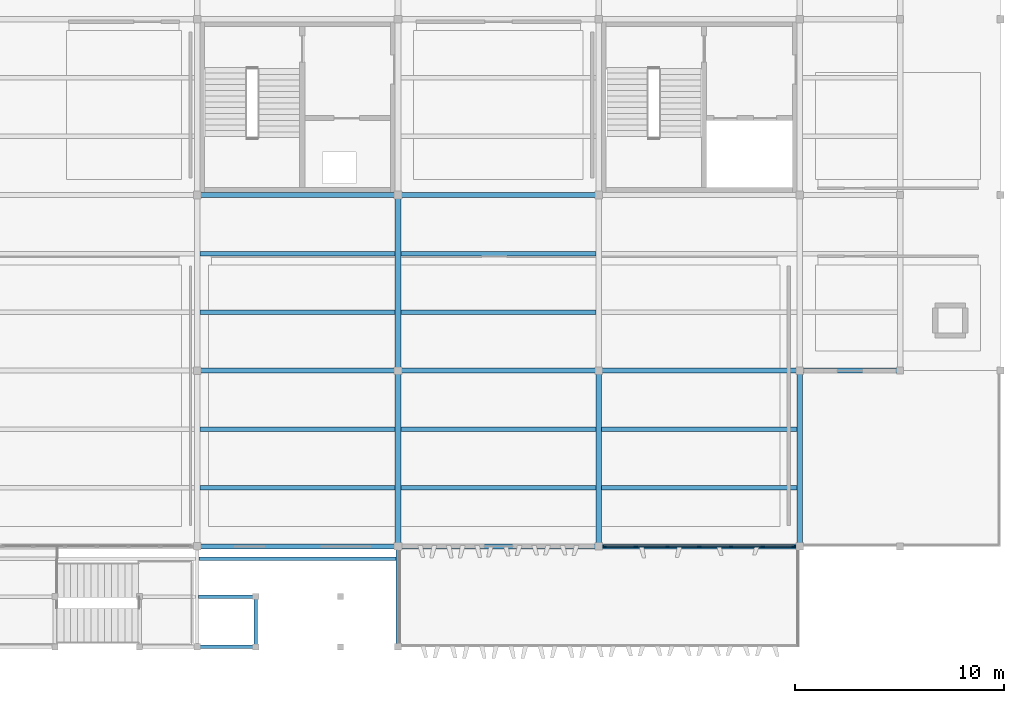
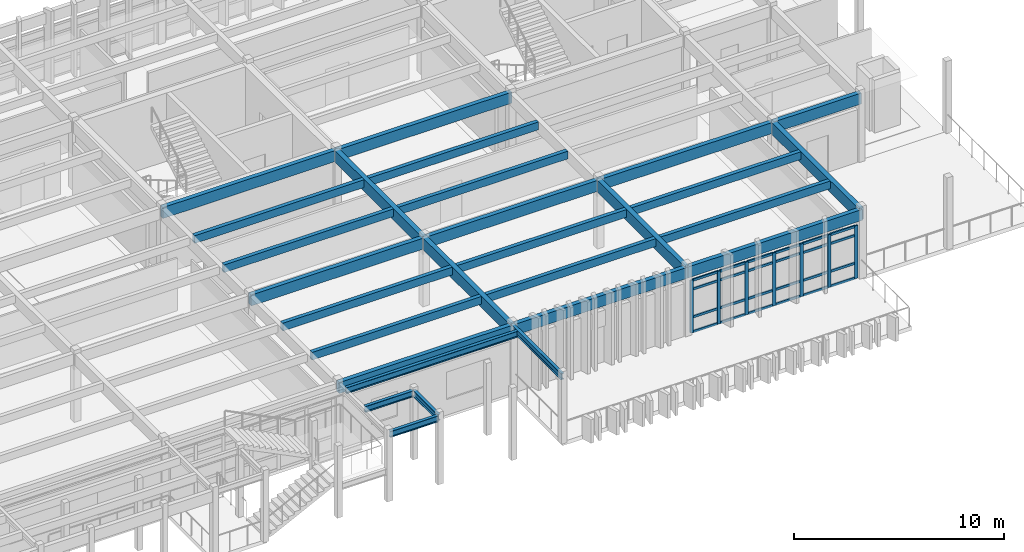
# One storey, part 7 of 18: 31 members, 28 beams, 1 element without a shape of its own.
"""IFC4 building model written with IfcOpenShell, lengths in metres."""

import ifcopenshell
import ifcopenshell.guid

model = None  # the IFC model being written
_history = None  # IfcOwnerHistory: only IFC2X3 demands one
_inside = {}  # id of a spatial element -> (the spatial element, [elements in it])
_under = {}  # id of a project, library or spatial element -> (it, [spatial elements below it])
_declared = {}  # id of a project -> (the project, [libraries it declares])
_typed = {}  # id of a type object -> (the type object, [elements of that type])
_made_of = {}  # id of a material, layer set ... -> (it, [elements and type objects made of it])


def new_model(schema):
    """Start an empty IFC model of exactly this schema.

    Asked for "IFC4X3", IfcOpenShell would pick the latest addendum, in which some entities
    have other attributes; the version numbers below select the first issue.
    IFC2X3 requires an IfcOwnerHistory on every rooted entity: one is made here for all.
    """
    global model, _history
    if schema == "IFC4X3":
        model = ifcopenshell.file(schema_version=(4, 3, 0, 0))
    else:
        model = ifcopenshell.file(schema=schema)
    _inside.clear()
    _under.clear()
    _declared.clear()
    _typed.clear()
    _made_of.clear()
    _history = None
    if model.schema == "IFC2X3":
        org = make("IfcOrganization", Name="unknown")
        user = make(
            "IfcPersonAndOrganization",
            ThePerson=make("IfcPerson", FamilyName="unknown"),
            TheOrganization=org,
        )
        app = make(
            "IfcApplication",
            ApplicationDeveloper=org,
            Version="unknown",
            ApplicationFullName="unknown",
            ApplicationIdentifier="unknown",
        )
        _history = make(
            "IfcOwnerHistory",
            OwningUser=user,
            OwningApplication=app,
            ChangeAction="ADDED",
            CreationDate=0,
        )
    return model


def make(cls, **values):
    """One entity of the class cls with the attributes given. An attribute that is None is left unset."""
    return model.create_entity(
        cls, **{name: value for name, value in values.items() if value is not None}
    )


def rooted(cls, **values):
    """An entity with a GlobalId (a new one), such as an element, a storey or a relation."""
    return make(cls, GlobalId=ifcopenshell.guid.new(), OwnerHistory=_history, **values)


def si_unit(unit_type, name, prefix=None):
    """IfcSIUnit, for example si_unit("LENGTHUNIT", "METRE", prefix="MILLI")."""
    return make("IfcSIUnit", UnitType=unit_type, Prefix=prefix, Name=name)


def assignment(units):
    """IfcUnitAssignment: the units of a project."""
    return None if units is None else make("IfcUnitAssignment", Units=units)


def point(xyz):
    """IfcCartesianPoint."""
    return None if xyz is None else make("IfcCartesianPoint", Coordinates=xyz)


def direction(xyz):
    """IfcDirection."""
    return None if xyz is None else make("IfcDirection", DirectionRatios=xyz)


def frame(location, z_axis=None, x_axis=None):
    """IfcAxis2Placement3D, a coordinate frame: its origin and axes. An axis left out is left unset."""
    return make(
        "IfcAxis2Placement3D",
        Location=point(location),
        Axis=direction(z_axis),
        RefDirection=direction(x_axis),
    )


def frame_2d(location, x_axis=None):
    """IfcAxis2Placement2D, a coordinate frame in the plane: its origin and x axis."""
    return make(
        "IfcAxis2Placement2D", Location=point(location), RefDirection=direction(x_axis)
    )


def origin():
    """The frame at (0, 0, 0) with its axes left unset."""
    return frame((0.0, 0.0, 0.0))


def origin_2d():
    """The frame at (0, 0) in the plane with its x axis left unset."""
    return frame_2d((0.0, 0.0))


def place(relative_to, where):
    """IfcLocalPlacement: puts the frame where relative to a parent placement (None: the world)."""
    return make(
        "IfcLocalPlacement", PlacementRelTo=relative_to, RelativePlacement=where
    )


def context(
    kind, dimensions, precision=None, world=None, true_north=None, identifier=None
):
    """IfcGeometricRepresentationContext, for example the 3D "Model" context."""
    return make(
        "IfcGeometricRepresentationContext",
        ContextIdentifier=identifier,
        ContextType=kind,
        CoordinateSpaceDimension=dimensions,
        Precision=precision,
        WorldCoordinateSystem=world,
        TrueNorth=true_north,
    )


def subcontext(parent, identifier, kind, view, scale=None):
    """IfcGeometricRepresentationSubContext, for example "Body" below "Model"."""
    return make(
        "IfcGeometricRepresentationSubContext",
        ContextIdentifier=identifier,
        ContextType=kind,
        ParentContext=parent,
        TargetScale=scale,
        TargetView=view,
    )


def project(units=None, contexts=None):
    """IfcProject with its units and contexts."""
    return rooted(
        "IfcProject",
        Name="project",
        RepresentationContexts=contexts,
        UnitsInContext=assignment(units),
    )


def spatial(cls, under=None, at=None, **own):
    """A site, building, storey or space (cls), placed at a placement, below another one or the project."""
    s = rooted(cls, ObjectPlacement=at, **own)
    if under is not None:
        _under.setdefault(under.id(), (under, []))[1].append(s)
    return s


def profile(cls, at=None, kind="AREA", **sizes):
    """A parametric profile (cls). Its sizes go by their IFC names, for example OverallWidth=200.0."""
    return make(cls, ProfileType=kind, Position=at, **sizes)


def rectangle(**sizes):
    """IfcRectangleProfileDef."""
    return profile("IfcRectangleProfileDef", **sizes)


def i_section(**sizes):
    """IfcIShapeProfileDef."""
    return profile("IfcIShapeProfileDef", **sizes)


def extrude(swept, where, along, depth):
    """IfcExtrudedAreaSolid: the profile swept, set in the frame where, extruded along a direction by depth."""
    return make(
        "IfcExtrudedAreaSolid",
        SweptArea=swept,
        Position=where,
        ExtrudedDirection=direction(along),
        Depth=depth,
    )


def shape(context_of_items, identifier, shape_type, items):
    """IfcShapeRepresentation: the items that make up one representation, for example the "Body"."""
    return make(
        "IfcShapeRepresentation",
        ContextOfItems=context_of_items,
        RepresentationIdentifier=identifier,
        RepresentationType=shape_type,
        Items=items,
    )


def material(Name=None, Category=None):
    """IfcMaterial."""
    return make("IfcMaterial", Name=Name, Category=Category)


def layer(
    of_material, thickness, ventilated=None, Name=None, Category=None, Priority=None
):
    """IfcMaterialLayer: one layer of a wall or slab, of a material (None: an air gap)."""
    return make(
        "IfcMaterialLayer",
        Material=of_material,
        LayerThickness=thickness,
        IsVentilated=ventilated,
        Name=Name,
        Category=Category,
        Priority=Priority,
    )


def layer_set(layers, Name=None):
    """IfcMaterialLayerSet."""
    return make("IfcMaterialLayerSet", MaterialLayers=layers, LayerSetName=Name)


def material_profile(
    of_material, cross_section, Name=None, Category=None, Priority=None
):
    """IfcMaterialProfile: a cross section and its material."""
    return make(
        "IfcMaterialProfile",
        Name=Name,
        Material=of_material,
        Profile=cross_section,
        Priority=Priority,
        Category=Category,
    )


def profile_set(profiles, Name=None, composite=None):
    """IfcMaterialProfileSet."""
    return make(
        "IfcMaterialProfileSet",
        Name=Name,
        MaterialProfiles=profiles,
        CompositeProfile=composite,
    )


def made_of(thing, what):
    """Note that an element or type object is made of a material, layer set ...; save() writes the relation."""
    if what is not None:
        _made_of.setdefault(what.id(), (what, []))[1].append(thing)
    return thing


def type_object(cls, material=None, **own):
    """A type object (cls), such as IfcWallType, which elements share."""
    return made_of(rooted(cls, **own), material)


def element(
    cls,
    number,
    at=None,
    inside=None,
    cuts=None,
    type_object=None,
    material=None,
    context=None,
    identifier="Body",
    shape_type=None,
    held_by="IfcProductDefinitionShape",
    body=None,
    shapes=None,
    **own,
):
    """One element of the class cls, such as IfcWall. Its Tag is "e" and its number.

    at: its placement. inside: the storey or other place that contains it. cuts: it is an
    opening in that element (IfcRelVoidsElement). A single representation is given by context,
    identifier, shape_type and body (its items); several are given by shapes. held_by: the class
    of the entity that holds the representations. save() writes the other relations.
    """
    e = rooted(cls, Tag="e%d" % number, ObjectPlacement=at, **own)
    if body is not None:
        shapes = [shape(context, identifier, shape_type, body)]
    if shapes is not None:
        e.Representation = make(held_by, Representations=shapes)
    if inside is not None:
        _inside.setdefault(inside.id(), (inside, []))[1].append(e)
    if cuts is not None:
        rooted(
            "IfcRelVoidsElement", RelatingBuildingElement=cuts, RelatedOpeningElement=e
        )
    if type_object is not None:
        _typed.setdefault(type_object.id(), (type_object, []))[1].append(e)
    return made_of(e, material)


def aggregate(whole, parts):
    """IfcRelAggregates: a whole, such as a stair, and the parts it consists of."""
    return rooted("IfcRelAggregates", RelatingObject=whole, RelatedObjects=parts)


def save(model, path):
    """Write the relations noted so far, then the file.

    IfcRelAggregates (storeys below a building ...), IfcRelContainedInSpatialStructure (elements
    in a storey), IfcRelDefinesByType, IfcRelAssociatesMaterial and IfcRelDeclares: one each for
    every whole, place, type object, material and project.
    """
    for whole, parts in _under.values():
        aggregate(whole, parts)
    for where, things in _inside.values():
        rooted(
            "IfcRelContainedInSpatialStructure",
            RelatedElements=things,
            RelatingStructure=where,
        )
    for kind, things in _typed.values():
        rooted("IfcRelDefinesByType", RelatedObjects=things, RelatingType=kind)
    for what, things in _made_of.values():
        rooted("IfcRelAssociatesMaterial", RelatedObjects=things, RelatingMaterial=what)
    for by, libraries in _declared.values():
        rooted("IfcRelDeclares", RelatingContext=by, RelatedDefinitions=libraries)
    model.write(path)


model = new_model("IFC4")

# Units and contexts
model_context = context("Model", 3, precision=1e-05, world=origin(), true_north=direction((0.0, 1.0)))
body_context = subcontext(model_context, "Body", "Model", "MODEL_VIEW")
ifc_project = project(units=[si_unit("LENGTHUNIT", "METRE"), si_unit("AREAUNIT", "SQUARE_METRE"), si_unit("VOLUMEUNIT", "CUBIC_METRE"), si_unit("PLANEANGLEUNIT", "RADIAN"), si_unit("MASSUNIT", "GRAM", prefix="KILO")], contexts=[model_context])

# Site, building, storey
site_placement = place(None, origin())
site = spatial("IfcSite", under=ifc_project, at=site_placement, CompositionType="ELEMENT")
building_placement = place(site_placement, origin())
building = spatial("IfcBuilding", under=site, at=building_placement, Name="Kolvemor Railside Polytechnic", CompositionType="ELEMENT")
storey_placement = place(building_placement, frame((0.0, 0.0, 18.60009765625)))
storey = spatial("IfcBuildingStorey", under=building, at=storey_placement, Name="L04", CompositionType="ELEMENT", Elevation=18.60009765625)

# Beams
ifc_material_1 = material(Name="Glulam GL28h", Category="wood")
ifc_material_profile_1 = material_profile(ifc_material_1, rectangle(XDim=0.264892578125, YDim=0.679931640625, at=origin_2d()), Name="GL265x680")
ifc_profile_set_1 = profile_set([ifc_material_profile_1], Name="Glulam GL28h")
beam_type_1 = type_object("IfcBeamType", Name="BM-GL-GIRD2", PredefinedType="BEAM", material=ifc_profile_set_1)
beam_1_placement = place(storey_placement, frame((96.0, 4.800048828125, 3.6298828125), z_axis=(0.0, 1.0, 0.0), x_axis=(-1.0, 0.0, 0.0)))
element("IfcBeam", 1, at=beam_1_placement, inside=storey, type_object=beam_type_1, Name="Primary Girder L05-GY 1564", PredefinedType="BEAM", context=body_context, shape_type="SweptSolid", body=[
    extrude(rectangle(XDim=0.264892578125, YDim=0.679931640625, at=origin_2d()), origin(), (0.0, 0.0, 1.0), 8.39990234375),
])
beam_2_placement = place(storey_placement, frame((96.0, 13.199951171875, 3.6298828125), z_axis=(0.0, 1.0, 0.0), x_axis=(-1.0, 0.0, 0.0)))
element("IfcBeam", 2, at=beam_2_placement, inside=storey, type_object=beam_type_1, Name="Primary Girder L05-GY 1565", PredefinedType="BEAM", context=body_context, shape_type="SweptSolid", body=[
    extrude(rectangle(XDim=0.264892578125, YDim=0.679931640625, at=origin_2d()), origin(), (0.0, 0.0, 1.0), 8.400146484375),
])
for number, where, z_axis, x_axis, name in (
    (3, (105.60009765625, 4.800048828125, 3.6298828125), (0.0, 1.0, 0.0), (-1.0, 0.0, 0.0), "Primary Girder L05-GY 1568"),
    (4, (115.199951171875, 4.800048828125, 3.6298828125), (0.0, 1.0, 0.0), (-1.0, 0.0, 0.0), "Primary Girder L05-GY 1572"),
):
    element("IfcBeam", number, at=place(storey_placement, frame(where, z_axis=z_axis, x_axis=x_axis)), inside=storey, type_object=beam_type_1, Name=name, PredefinedType="BEAM", context=body_context, shape_type="SweptSolid", body=[
        extrude(rectangle(XDim=0.264892578125, YDim=0.679931640625, at=origin_2d()), origin(), (0.0, 0.0, 1.0), 8.39990234375),
    ])
ifc_material_2 = material(Name="Glulam GL28h", Category="wood")
ifc_material_profile_2 = material_profile(ifc_material_2, rectangle(XDim=0.239990234375, YDim=0.639892578125, at=origin_2d()), Name="GL240x640")
ifc_profile_set_2 = profile_set([ifc_material_profile_2], Name="Glulam GL28h")
beam_type_2 = type_object("IfcBeamType", Name="BM-GL-GIRD5", PredefinedType="BEAM", material=ifc_profile_set_2)
for number, where, z_axis, x_axis, name in (
    (5, (86.39990234375, 4.800048828125, 3.64990234375), (1.0, 0.0, 0.0), (0.0, 1.0, 0.0), "Primary Girder L05-GX 1521"),
    (6, (96.0, 4.800048828125, 3.64990234375), (1.0, 0.0, 0.0), (0.0, 1.0, 0.0), "Primary Girder L05-GX 1522"),
):
    element("IfcBeam", number, at=place(storey_placement, frame(where, z_axis=z_axis, x_axis=x_axis)), inside=storey, type_object=beam_type_2, Name=name, PredefinedType="BEAM", context=body_context, shape_type="SweptSolid", body=[
        extrude(rectangle(XDim=0.239990234375, YDim=0.639892578125, at=origin_2d()), origin(), (0.0, 0.0, 1.0), 9.60009765625),
    ])
beam_3_placement = place(storey_placement, frame((105.60009765625, 4.800048828125, 3.64990234375), z_axis=(1.0, 0.0, 0.0), x_axis=(0.0, 1.0, 0.0)))
element("IfcBeam", 7, at=beam_3_placement, inside=storey, type_object=beam_type_2, Name="Primary Girder L05-GX 1523", PredefinedType="BEAM", context=body_context, shape_type="SweptSolid", body=[
    extrude(rectangle(XDim=0.239990234375, YDim=0.639892578125, at=origin_2d()), origin(), (0.0, 0.0, 1.0), 9.599853515625),
])
for number, where, z_axis, x_axis, name in (
    (8, (86.39990234375, 13.199951171875, 3.64990234375), (1.0, 0.0, 0.0), (0.0, 1.0, 0.0), "Primary Girder L05-GX 1527"),
    (9, (96.0, 13.199951171875, 3.64990234375), (1.0, 0.0, 0.0), (0.0, 1.0, 0.0), "Primary Girder L05-GX 1528"),
):
    element("IfcBeam", number, at=place(storey_placement, frame(where, z_axis=z_axis, x_axis=x_axis)), inside=storey, type_object=beam_type_2, Name=name, PredefinedType="BEAM", context=body_context, shape_type="SweptSolid", body=[
        extrude(rectangle(XDim=0.239990234375, YDim=0.639892578125, at=origin_2d()), origin(), (0.0, 0.0, 1.0), 9.60009765625),
    ])
beam_4_placement = place(storey_placement, frame((105.60009765625, 13.199951171875, 3.64990234375), z_axis=(1.0, 0.0, 0.0), x_axis=(0.0, 1.0, 0.0)))
element("IfcBeam", 10, at=beam_4_placement, inside=storey, type_object=beam_type_2, Name="Primary Girder L05-GX 1529", PredefinedType="BEAM", context=body_context, shape_type="SweptSolid", body=[
    extrude(rectangle(XDim=0.239990234375, YDim=0.639892578125, at=origin_2d()), origin(), (0.0, 0.0, 1.0), 9.599853515625),
])
for number, where, z_axis, x_axis, name in (
    (11, (86.39990234375, 21.60009765625, 3.64990234375), (1.0, 0.0, 0.0), (0.0, 1.0, 0.0), "Primary Girder L05-GX 1533"),
    (12, (96.0, 21.60009765625, 3.64990234375), (1.0, 0.0, 0.0), (0.0, 1.0, 0.0), "Primary Girder L05-GX 1534"),
):
    element("IfcBeam", number, at=place(storey_placement, frame(where, z_axis=z_axis, x_axis=x_axis)), inside=storey, type_object=beam_type_2, Name=name, PredefinedType="BEAM", context=body_context, shape_type="SweptSolid", body=[
        extrude(rectangle(XDim=0.239990234375, YDim=0.639892578125, at=origin_2d()), origin(), (0.0, 0.0, 1.0), 9.60009765625),
    ])
beam_5_placement = place(storey_placement, frame((115.199951171875, 13.199951171875, 3.64990234375), z_axis=(1.0, 0.0, 0.0), x_axis=(0.0, 1.0, 0.0)))
element("IfcBeam", 13, at=beam_5_placement, inside=storey, type_object=beam_type_2, Name="Primary Girder L05-GX 1618", PredefinedType="BEAM", context=body_context, shape_type="SweptSolid", body=[
    extrude(rectangle(XDim=0.239990234375, YDim=0.639892578125, at=origin_2d()), origin(), (0.0, 0.0, 1.0), 4.800048828125),
])
ifc_material_3 = material(Name="Glulam GL28h", Category="wood")
ifc_material_profile_3 = material_profile(ifc_material_3, rectangle(XDim=0.215087890625, YDim=0.449951171875, at=origin_2d()), Name="GL215x450")
ifc_profile_set_3 = profile_set([ifc_material_profile_3], Name="Glulam GL28h")
beam_type_3 = type_object("IfcBeamType", Name="BM-GL-JST2", PredefinedType="JOIST", material=ifc_profile_set_3)
for number, where, z_axis, x_axis, name in (
    (14, (86.532958984375, 7.60009765625, 3.744873046875), (1.0, 0.0, 0.0), (0.0, 1.0, 0.0), "Floor Joist L05-J1598"),
    (15, (86.532958984375, 10.39990234375, 3.744873046875), (1.0, 0.0, 0.0), (0.0, 1.0, 0.0), "Floor Joist L05-J1599"),
    (16, (86.532958984375, 16.0, 3.744873046875), (1.0, 0.0, 0.0), (0.0, 1.0, 0.0), "Floor Joist L05-J1600"),
    (17, (86.532958984375, 18.800048828125, 3.744873046875), (1.0, 0.0, 0.0), (0.0, 1.0, 0.0), "Floor Joist L05-J1601"),
    (18, (96.133056640625, 7.60009765625, 3.744873046875), (1.0, 0.0, 0.0), (0.0, 1.0, 0.0), "Floor Joist L05-J1604"),
    (19, (96.133056640625, 10.39990234375, 3.744873046875), (1.0, 0.0, 0.0), (0.0, 1.0, 0.0), "Floor Joist L05-J1605"),
    (20, (96.133056640625, 16.0, 3.744873046875), (1.0, 0.0, 0.0), (0.0, 1.0, 0.0), "Floor Joist L05-J1606"),
    (21, (96.133056640625, 18.800048828125, 3.744873046875), (1.0, 0.0, 0.0), (0.0, 1.0, 0.0), "Floor Joist L05-J1607"),
    (22, (105.73291015625, 7.60009765625, 3.744873046875), (1.0, 0.0, 0.0), (0.0, 1.0, 0.0), "Floor Joist L05-J1612"),
    (23, (105.73291015625, 10.39990234375, 3.744873046875), (1.0, 0.0, 0.0), (0.0, 1.0, 0.0), "Floor Joist L05-J1613"),
):
    element("IfcBeam", number, at=place(storey_placement, frame(where, z_axis=z_axis, x_axis=x_axis)), inside=storey, type_object=beam_type_3, Name=name, PredefinedType="JOIST", context=body_context, shape_type="SweptSolid", body=[
        extrude(rectangle(XDim=0.215087890625, YDim=0.449951171875, at=origin_2d()), origin(), (0.0, 0.0, 1.0), 9.333984375),
    ])
ifc_material_4 = material(Name="Steel S355", Category="steel")
ifc_material_profile_4 = material_profile(ifc_material_4, i_section(OverallWidth=0.172119140625, OverallDepth=0.35791015625, WebThickness=0.0078125, FlangeThickness=0.01318359375, FilletRadius=0.010986328125, at=origin_2d()), Name="W360x57")
ifc_profile_set_4 = profile_set([ifc_material_profile_4], Name="Steel S355")
beam_type_4 = type_object("IfcBeamType", Name="BM-ST-COLL", PredefinedType="BEAM", material=ifc_profile_set_4)
beam_6_placement = place(storey_placement, frame((89.199951171875, 0.0, 3.80078125), z_axis=(0.0, 1.0, 0.0), x_axis=(-1.0, 0.0, 0.0)))
element("IfcBeam", 24, at=beam_6_placement, inside=storey, type_object=beam_type_4, Name="Zigzag Stair Departure Beam L05 2086", PredefinedType="BEAM", context=body_context, shape_type="SweptSolid", body=[
    extrude(i_section(OverallWidth=0.172119140625, OverallDepth=0.35791015625, WebThickness=0.0078125, FlangeThickness=0.01318359375, FilletRadius=0.010986328125, at=origin_2d()), origin(), (0.0, 0.0, 1.0), 2.39990234375),
])
for number, where, z_axis, x_axis, name in (
    (25, (86.47509765625, 0.0, 3.80078125), (1.0, 0.0, 0.0), (0.0, 1.0, 0.0), "Zigzag Stair Departure Tie L05 2087"),
    (26, (86.47509765625, 2.39990234375, 3.80078125), (1.0, 0.0, 0.0), (0.0, 1.0, 0.0), "Zigzag Stair Departure Tie L05 2088"),
):
    element("IfcBeam", number, at=place(storey_placement, frame(where, z_axis=z_axis, x_axis=x_axis)), inside=storey, type_object=beam_type_4, Name=name, PredefinedType="BEAM", context=body_context, shape_type="SweptSolid", body=[
        extrude(i_section(OverallWidth=0.172119140625, OverallDepth=0.35791015625, WebThickness=0.0078125, FlangeThickness=0.01318359375, FilletRadius=0.010986328125, at=origin_2d()), origin(), (0.0, 0.0, 1.0), 2.64990234375),
    ])
beam_7_placement = place(storey_placement, frame((86.47998046875, 4.199951171875, 3.80078125), z_axis=(1.0, 0.0, 0.0), x_axis=(0.0, 1.0, 0.0)))
element("IfcBeam", 27, at=beam_7_placement, inside=storey, type_object=beam_type_4, Name="Zigzag Rear Gallery Beam L05 2091", PredefinedType="BEAM", context=body_context, shape_type="SweptSolid", body=[
    extrude(i_section(OverallWidth=0.172119140625, OverallDepth=0.35791015625, WebThickness=0.0078125, FlangeThickness=0.01318359375, FilletRadius=0.010986328125, at=origin_2d()), origin(), (0.0, 0.0, 1.0), 9.43994140625),
])
beam_8_placement = place(storey_placement, frame((96.0, 0.0, 3.80078125), z_axis=(0.0, 1.0, 0.0), x_axis=(-1.0, 0.0, 0.0)))
element("IfcBeam", 28, at=beam_8_placement, inside=storey, type_object=beam_type_4, Name="Zigzag Rear Cross Beam L05 2093", PredefinedType="BEAM", context=body_context, shape_type="SweptSolid", body=[
    extrude(i_section(OverallWidth=0.172119140625, OverallDepth=0.35791015625, WebThickness=0.0078125, FlangeThickness=0.01318359375, FilletRadius=0.010986328125, at=origin_2d()), origin(), (0.0, 0.0, 1.0), 4.800048828125),
])

# Curtain wall, members
ifc_material_5 = material(Name="Anodised marine aluminium and laminated low-E glass", Category="aluminium")
ifc_layer = layer(ifc_material_5, 0.179931640625, Name="CW-UNIT-STD")
ifc_layer_set = layer_set([ifc_layer], Name="Anodised marine aluminium and laminated low-E glass")
curtain_wall_type = type_object("IfcCurtainWallType", Name="CW-UNIT-STD", PredefinedType="USERDEFINED", material=ifc_layer_set)
curtain_wall_placement = place(storey_placement, origin())
curtain_wall = element("IfcCurtainWall", 29, at=curtain_wall_placement, inside=storey, type_object=curtain_wall_type, Name="Curtain Wall L04-105", ObjectType="UNITISED CURTAIN WALL", PredefinedType="USERDEFINED")
ifc_material_6 = material(Name="Anodised marine aluminium 6063-T6", Category="aluminium")
ifc_material_profile_5 = material_profile(ifc_material_6, rectangle(XDim=0.074951171875, YDim=0.179931640625, at=origin_2d()), Name="CW-MUL-75x180")
ifc_profile_set_5 = profile_set([ifc_material_profile_5], Name="Anodised marine aluminium 6063-T6")
member_type_1 = type_object("IfcMemberType", Name="CWM-75x180", PredefinedType="MULLION", material=ifc_profile_set_5)
member_1_placement = place(storey_placement, frame((105.87744140625, 4.800048828125, 0.0), z_axis=(0.0, 0.0, 1.0), x_axis=(0.0, 1.0, 0.0)))
member_1 = element("IfcMember", 30, at=member_1_placement, type_object=member_type_1, Name="CW-STD mullion 1", PredefinedType="MULLION", context=body_context, shape_type="SweptSolid", body=[
    extrude(rectangle(XDim=0.074951171875, YDim=0.179931640625, at=origin_2d()), origin(), (0.0, 0.0, 1.0), 3.06982421875),
])
member_2_placement = place(storey_placement, frame((107.360107421875, 4.800048828125, 0.0), z_axis=(0.0, 0.0, 1.0), x_axis=(0.0, 1.0, 0.0)))
member_2 = element("IfcMember", 31, at=member_2_placement, type_object=member_type_1, Name="CW-STD mullion 2", PredefinedType="MULLION", context=body_context, shape_type="SweptSolid", body=[
    extrude(rectangle(XDim=0.074951171875, YDim=0.179931640625, at=origin_2d()), origin(), (0.0, 0.0, 1.0), 3.06982421875),
])
member_3_placement = place(storey_placement, frame((108.8798828125, 4.800048828125, 0.0), z_axis=(0.0, 0.0, 1.0), x_axis=(0.0, 1.0, 0.0)))
member_3 = element("IfcMember", 32, at=member_3_placement, type_object=member_type_1, Name="CW-STD mullion 3", PredefinedType="MULLION", context=body_context, shape_type="SweptSolid", body=[
    extrude(rectangle(XDim=0.074951171875, YDim=0.179931640625, at=origin_2d()), origin(), (0.0, 0.0, 1.0), 3.06982421875),
])
member_4_placement = place(storey_placement, frame((110.39990234375, 4.800048828125, 0.0), z_axis=(0.0, 0.0, 1.0), x_axis=(0.0, 1.0, 0.0)))
member_4 = element("IfcMember", 33, at=member_4_placement, type_object=member_type_1, Name="CW-STD mullion 4", PredefinedType="MULLION", context=body_context, shape_type="SweptSolid", body=[
    extrude(rectangle(XDim=0.074951171875, YDim=0.179931640625, at=origin_2d()), origin(), (0.0, 0.0, 1.0), 3.06982421875),
])
member_5_placement = place(storey_placement, frame((111.919921875, 4.800048828125, 0.0), z_axis=(0.0, 0.0, 1.0), x_axis=(0.0, 1.0, 0.0)))
member_5 = element("IfcMember", 34, at=member_5_placement, type_object=member_type_1, Name="CW-STD mullion 5", PredefinedType="MULLION", context=body_context, shape_type="SweptSolid", body=[
    extrude(rectangle(XDim=0.074951171875, YDim=0.179931640625, at=origin_2d()), origin(), (0.0, 0.0, 1.0), 3.06982421875),
])
member_6_placement = place(storey_placement, frame((113.43994140625, 4.800048828125, 0.0), z_axis=(0.0, 0.0, 1.0), x_axis=(0.0, 1.0, 0.0)))
member_6 = element("IfcMember", 35, at=member_6_placement, type_object=member_type_1, Name="CW-STD mullion 6", PredefinedType="MULLION", context=body_context, shape_type="SweptSolid", body=[
    extrude(rectangle(XDim=0.074951171875, YDim=0.179931640625, at=origin_2d()), origin(), (0.0, 0.0, 1.0), 3.06982421875),
])
member_7_placement = place(storey_placement, frame((114.922607421875, 4.800048828125, 0.0), z_axis=(0.0, 0.0, 1.0), x_axis=(0.0, 1.0, 0.0)))
member_7 = element("IfcMember", 36, at=member_7_placement, type_object=member_type_1, Name="CW-STD mullion 7", PredefinedType="MULLION", context=body_context, shape_type="SweptSolid", body=[
    extrude(rectangle(XDim=0.074951171875, YDim=0.179931640625, at=origin_2d()), origin(), (0.0, 0.0, 1.0), 3.06982421875),
])
ifc_material_7 = material(Name="Anodised marine aluminium 6063-T6", Category="aluminium")
ifc_material_profile_6 = material_profile(ifc_material_7, rectangle(XDim=0.074951171875, YDim=0.139892578125, at=origin_2d()), Name="CW-TRN-75x140")
ifc_profile_set_6 = profile_set([ifc_material_profile_6], Name="Anodised marine aluminium 6063-T6")
member_type_2 = type_object("IfcMemberType", Name="CWT-75x140", PredefinedType="USERDEFINED", material=ifc_profile_set_6)
member_8_placement = place(storey_placement, frame((105.9150390625, 4.800048828125, 0.037353515625), z_axis=(1.0, 0.0, 0.0), x_axis=(0.0, 1.0, 0.0)))
member_8 = element("IfcMember", 37, at=member_8_placement, type_object=member_type_2, Name="CW-STD transom 1.1", ObjectType="TRANSOM", PredefinedType="USERDEFINED", context=body_context, shape_type="SweptSolid", body=[
    extrude(rectangle(XDim=0.074951171875, YDim=0.139892578125, at=origin_2d()), origin(), (0.0, 0.0, 1.0), 1.407470703125),
])
member_9_placement = place(storey_placement, frame((105.9150390625, 4.800048828125, 0.89990234375), z_axis=(1.0, 0.0, 0.0), x_axis=(0.0, 1.0, 0.0)))
member_9 = element("IfcMember", 38, at=member_9_placement, type_object=member_type_2, Name="CW-STD transom 1.2", ObjectType="TRANSOM", PredefinedType="USERDEFINED", context=body_context, shape_type="SweptSolid", body=[
    extrude(rectangle(XDim=0.074951171875, YDim=0.139892578125, at=origin_2d()), origin(), (0.0, 0.0, 1.0), 1.407470703125),
])
member_10_placement = place(storey_placement, frame((105.9150390625, 4.800048828125, 2.52001953125), z_axis=(1.0, 0.0, 0.0), x_axis=(0.0, 1.0, 0.0)))
member_10 = element("IfcMember", 39, at=member_10_placement, type_object=member_type_2, Name="CW-STD transom 1.3", ObjectType="TRANSOM", PredefinedType="USERDEFINED", context=body_context, shape_type="SweptSolid", body=[
    extrude(rectangle(XDim=0.074951171875, YDim=0.139892578125, at=origin_2d()), origin(), (0.0, 0.0, 1.0), 1.407470703125),
])
member_11_placement = place(storey_placement, frame((105.9150390625, 4.800048828125, 3.032470703125), z_axis=(1.0, 0.0, 0.0), x_axis=(0.0, 1.0, 0.0)))
member_11 = element("IfcMember", 40, at=member_11_placement, type_object=member_type_2, Name="CW-STD transom 1.4", ObjectType="TRANSOM", PredefinedType="USERDEFINED", context=body_context, shape_type="SweptSolid", body=[
    extrude(rectangle(XDim=0.074951171875, YDim=0.139892578125, at=origin_2d()), origin(), (0.0, 0.0, 1.0), 1.407470703125),
])
member_12_placement = place(storey_placement, frame((107.3974609375, 4.800048828125, 0.037353515625), z_axis=(1.0, 0.0, 0.0), x_axis=(0.0, 1.0, 0.0)))
member_12 = element("IfcMember", 41, at=member_12_placement, type_object=member_type_2, Name="CW-STD transom 2.1", ObjectType="TRANSOM", PredefinedType="USERDEFINED", context=body_context, shape_type="SweptSolid", body=[
    extrude(rectangle(XDim=0.074951171875, YDim=0.139892578125, at=origin_2d()), origin(), (0.0, 0.0, 1.0), 1.445068359375),
])
member_13_placement = place(storey_placement, frame((107.3974609375, 4.800048828125, 0.89990234375), z_axis=(1.0, 0.0, 0.0), x_axis=(0.0, 1.0, 0.0)))
member_13 = element("IfcMember", 42, at=member_13_placement, type_object=member_type_2, Name="CW-STD transom 2.2", ObjectType="TRANSOM", PredefinedType="USERDEFINED", context=body_context, shape_type="SweptSolid", body=[
    extrude(rectangle(XDim=0.074951171875, YDim=0.139892578125, at=origin_2d()), origin(), (0.0, 0.0, 1.0), 1.445068359375),
])
member_14_placement = place(storey_placement, frame((107.3974609375, 4.800048828125, 2.52001953125), z_axis=(1.0, 0.0, 0.0), x_axis=(0.0, 1.0, 0.0)))
member_14 = element("IfcMember", 43, at=member_14_placement, type_object=member_type_2, Name="CW-STD transom 2.3", ObjectType="TRANSOM", PredefinedType="USERDEFINED", context=body_context, shape_type="SweptSolid", body=[
    extrude(rectangle(XDim=0.074951171875, YDim=0.139892578125, at=origin_2d()), origin(), (0.0, 0.0, 1.0), 1.445068359375),
])
member_15_placement = place(storey_placement, frame((107.3974609375, 4.800048828125, 3.032470703125), z_axis=(1.0, 0.0, 0.0), x_axis=(0.0, 1.0, 0.0)))
member_15 = element("IfcMember", 44, at=member_15_placement, type_object=member_type_2, Name="CW-STD transom 2.4", ObjectType="TRANSOM", PredefinedType="USERDEFINED", context=body_context, shape_type="SweptSolid", body=[
    extrude(rectangle(XDim=0.074951171875, YDim=0.139892578125, at=origin_2d()), origin(), (0.0, 0.0, 1.0), 1.445068359375),
])
member_16_placement = place(storey_placement, frame((108.91748046875, 4.800048828125, 0.037353515625), z_axis=(1.0, 0.0, 0.0), x_axis=(0.0, 1.0, 0.0)))
member_16 = element("IfcMember", 45, at=member_16_placement, type_object=member_type_2, Name="CW-STD transom 3.1", ObjectType="TRANSOM", PredefinedType="USERDEFINED", context=body_context, shape_type="SweptSolid", body=[
    extrude(rectangle(XDim=0.074951171875, YDim=0.139892578125, at=origin_2d()), origin(), (0.0, 0.0, 1.0), 1.445068359375),
])
member_17_placement = place(storey_placement, frame((108.91748046875, 4.800048828125, 0.89990234375), z_axis=(1.0, 0.0, 0.0), x_axis=(0.0, 1.0, 0.0)))
member_17 = element("IfcMember", 46, at=member_17_placement, type_object=member_type_2, Name="CW-STD transom 3.2", ObjectType="TRANSOM", PredefinedType="USERDEFINED", context=body_context, shape_type="SweptSolid", body=[
    extrude(rectangle(XDim=0.074951171875, YDim=0.139892578125, at=origin_2d()), origin(), (0.0, 0.0, 1.0), 1.445068359375),
])
member_18_placement = place(storey_placement, frame((108.91748046875, 4.800048828125, 2.52001953125), z_axis=(1.0, 0.0, 0.0), x_axis=(0.0, 1.0, 0.0)))
member_18 = element("IfcMember", 47, at=member_18_placement, type_object=member_type_2, Name="CW-STD transom 3.3", ObjectType="TRANSOM", PredefinedType="USERDEFINED", context=body_context, shape_type="SweptSolid", body=[
    extrude(rectangle(XDim=0.074951171875, YDim=0.139892578125, at=origin_2d()), origin(), (0.0, 0.0, 1.0), 1.445068359375),
])
member_19_placement = place(storey_placement, frame((108.91748046875, 4.800048828125, 3.032470703125), z_axis=(1.0, 0.0, 0.0), x_axis=(0.0, 1.0, 0.0)))
member_19 = element("IfcMember", 48, at=member_19_placement, type_object=member_type_2, Name="CW-STD transom 3.4", ObjectType="TRANSOM", PredefinedType="USERDEFINED", context=body_context, shape_type="SweptSolid", body=[
    extrude(rectangle(XDim=0.074951171875, YDim=0.139892578125, at=origin_2d()), origin(), (0.0, 0.0, 1.0), 1.445068359375),
])
member_20_placement = place(storey_placement, frame((110.4375, 4.800048828125, 0.037353515625), z_axis=(1.0, 0.0, 0.0), x_axis=(0.0, 1.0, 0.0)))
member_20 = element("IfcMember", 49, at=member_20_placement, type_object=member_type_2, Name="CW-STD transom 4.1", ObjectType="TRANSOM", PredefinedType="USERDEFINED", context=body_context, shape_type="SweptSolid", body=[
    extrude(rectangle(XDim=0.074951171875, YDim=0.139892578125, at=origin_2d()), origin(), (0.0, 0.0, 1.0), 1.445068359375),
])
member_21_placement = place(storey_placement, frame((110.4375, 4.800048828125, 0.89990234375), z_axis=(1.0, 0.0, 0.0), x_axis=(0.0, 1.0, 0.0)))
member_21 = element("IfcMember", 50, at=member_21_placement, type_object=member_type_2, Name="CW-STD transom 4.2", ObjectType="TRANSOM", PredefinedType="USERDEFINED", context=body_context, shape_type="SweptSolid", body=[
    extrude(rectangle(XDim=0.074951171875, YDim=0.139892578125, at=origin_2d()), origin(), (0.0, 0.0, 1.0), 1.445068359375),
])
member_22_placement = place(storey_placement, frame((110.4375, 4.800048828125, 2.52001953125), z_axis=(1.0, 0.0, 0.0), x_axis=(0.0, 1.0, 0.0)))
member_22 = element("IfcMember", 51, at=member_22_placement, type_object=member_type_2, Name="CW-STD transom 4.3", ObjectType="TRANSOM", PredefinedType="USERDEFINED", context=body_context, shape_type="SweptSolid", body=[
    extrude(rectangle(XDim=0.074951171875, YDim=0.139892578125, at=origin_2d()), origin(), (0.0, 0.0, 1.0), 1.445068359375),
])
member_23_placement = place(storey_placement, frame((110.4375, 4.800048828125, 3.032470703125), z_axis=(1.0, 0.0, 0.0), x_axis=(0.0, 1.0, 0.0)))
member_23 = element("IfcMember", 52, at=member_23_placement, type_object=member_type_2, Name="CW-STD transom 4.4", ObjectType="TRANSOM", PredefinedType="USERDEFINED", context=body_context, shape_type="SweptSolid", body=[
    extrude(rectangle(XDim=0.074951171875, YDim=0.139892578125, at=origin_2d()), origin(), (0.0, 0.0, 1.0), 1.445068359375),
])
member_24_placement = place(storey_placement, frame((111.95751953125, 4.800048828125, 0.037353515625), z_axis=(1.0, 0.0, 0.0), x_axis=(0.0, 1.0, 0.0)))
member_24 = element("IfcMember", 53, at=member_24_placement, type_object=member_type_2, Name="CW-STD transom 5.1", ObjectType="TRANSOM", PredefinedType="USERDEFINED", context=body_context, shape_type="SweptSolid", body=[
    extrude(rectangle(XDim=0.074951171875, YDim=0.139892578125, at=origin_2d()), origin(), (0.0, 0.0, 1.0), 1.445068359375),
])
member_25_placement = place(storey_placement, frame((111.95751953125, 4.800048828125, 0.89990234375), z_axis=(1.0, 0.0, 0.0), x_axis=(0.0, 1.0, 0.0)))
member_25 = element("IfcMember", 54, at=member_25_placement, type_object=member_type_2, Name="CW-STD transom 5.2", ObjectType="TRANSOM", PredefinedType="USERDEFINED", context=body_context, shape_type="SweptSolid", body=[
    extrude(rectangle(XDim=0.074951171875, YDim=0.139892578125, at=origin_2d()), origin(), (0.0, 0.0, 1.0), 1.445068359375),
])
member_26_placement = place(storey_placement, frame((111.95751953125, 4.800048828125, 2.52001953125), z_axis=(1.0, 0.0, 0.0), x_axis=(0.0, 1.0, 0.0)))
member_26 = element("IfcMember", 55, at=member_26_placement, type_object=member_type_2, Name="CW-STD transom 5.3", ObjectType="TRANSOM", PredefinedType="USERDEFINED", context=body_context, shape_type="SweptSolid", body=[
    extrude(rectangle(XDim=0.074951171875, YDim=0.139892578125, at=origin_2d()), origin(), (0.0, 0.0, 1.0), 1.445068359375),
])
member_27_placement = place(storey_placement, frame((111.95751953125, 4.800048828125, 3.032470703125), z_axis=(1.0, 0.0, 0.0), x_axis=(0.0, 1.0, 0.0)))
member_27 = element("IfcMember", 56, at=member_27_placement, type_object=member_type_2, Name="CW-STD transom 5.4", ObjectType="TRANSOM", PredefinedType="USERDEFINED", context=body_context, shape_type="SweptSolid", body=[
    extrude(rectangle(XDim=0.074951171875, YDim=0.139892578125, at=origin_2d()), origin(), (0.0, 0.0, 1.0), 1.445068359375),
])
member_28_placement = place(storey_placement, frame((113.4775390625, 4.800048828125, 0.037353515625), z_axis=(1.0, 0.0, 0.0), x_axis=(0.0, 1.0, 0.0)))
member_28 = element("IfcMember", 57, at=member_28_placement, type_object=member_type_2, Name="CW-STD transom 6.1", ObjectType="TRANSOM", PredefinedType="USERDEFINED", context=body_context, shape_type="SweptSolid", body=[
    extrude(rectangle(XDim=0.074951171875, YDim=0.139892578125, at=origin_2d()), origin(), (0.0, 0.0, 1.0), 1.407470703125),
])
member_29_placement = place(storey_placement, frame((113.4775390625, 4.800048828125, 0.89990234375), z_axis=(1.0, 0.0, 0.0), x_axis=(0.0, 1.0, 0.0)))
member_29 = element("IfcMember", 58, at=member_29_placement, type_object=member_type_2, Name="CW-STD transom 6.2", ObjectType="TRANSOM", PredefinedType="USERDEFINED", context=body_context, shape_type="SweptSolid", body=[
    extrude(rectangle(XDim=0.074951171875, YDim=0.139892578125, at=origin_2d()), origin(), (0.0, 0.0, 1.0), 1.407470703125),
])
member_30_placement = place(storey_placement, frame((113.4775390625, 4.800048828125, 2.52001953125), z_axis=(1.0, 0.0, 0.0), x_axis=(0.0, 1.0, 0.0)))
member_30 = element("IfcMember", 59, at=member_30_placement, type_object=member_type_2, Name="CW-STD transom 6.3", ObjectType="TRANSOM", PredefinedType="USERDEFINED", context=body_context, shape_type="SweptSolid", body=[
    extrude(rectangle(XDim=0.074951171875, YDim=0.139892578125, at=origin_2d()), origin(), (0.0, 0.0, 1.0), 1.407470703125),
])
member_31_placement = place(storey_placement, frame((113.4775390625, 4.800048828125, 3.032470703125), z_axis=(1.0, 0.0, 0.0), x_axis=(0.0, 1.0, 0.0)))
member_31 = element("IfcMember", 60, at=member_31_placement, type_object=member_type_2, Name="CW-STD transom 6.4", ObjectType="TRANSOM", PredefinedType="USERDEFINED", context=body_context, shape_type="SweptSolid", body=[
    extrude(rectangle(XDim=0.074951171875, YDim=0.139892578125, at=origin_2d()), origin(), (0.0, 0.0, 1.0), 1.407470703125),
])
aggregate(curtain_wall, [member_1, member_2, member_3, member_4, member_5, member_6, member_7, member_8, member_9, member_10, member_11, member_12, member_13, member_14, member_15, member_16, member_17, member_18, member_19, member_20, member_21, member_22, member_23, member_24, member_25, member_26, member_27, member_28, member_29, member_30, member_31])

save(model, "model.ifc")
